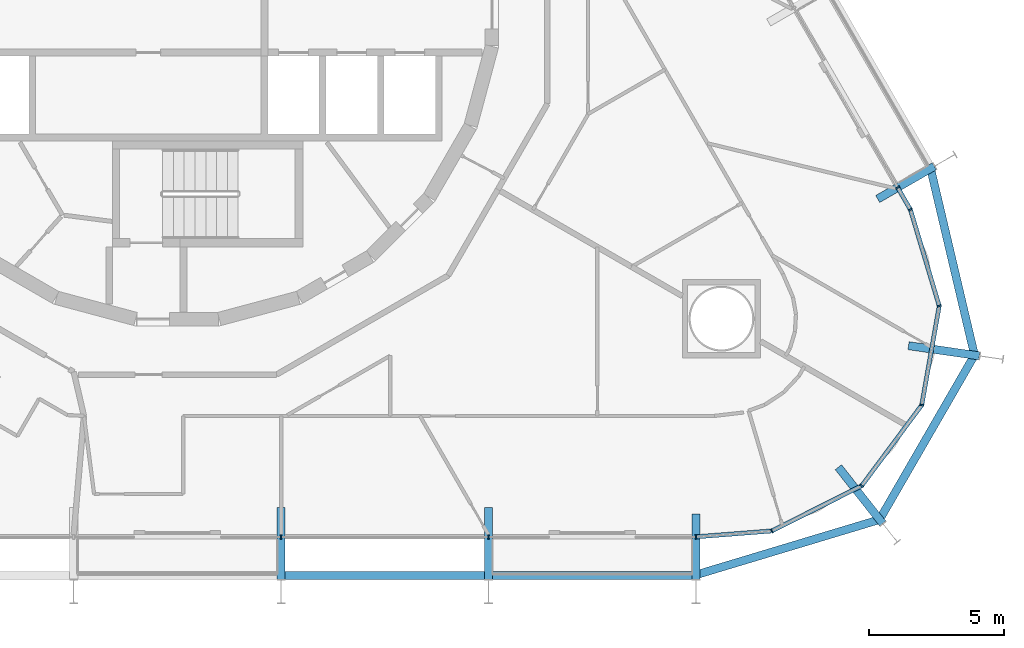
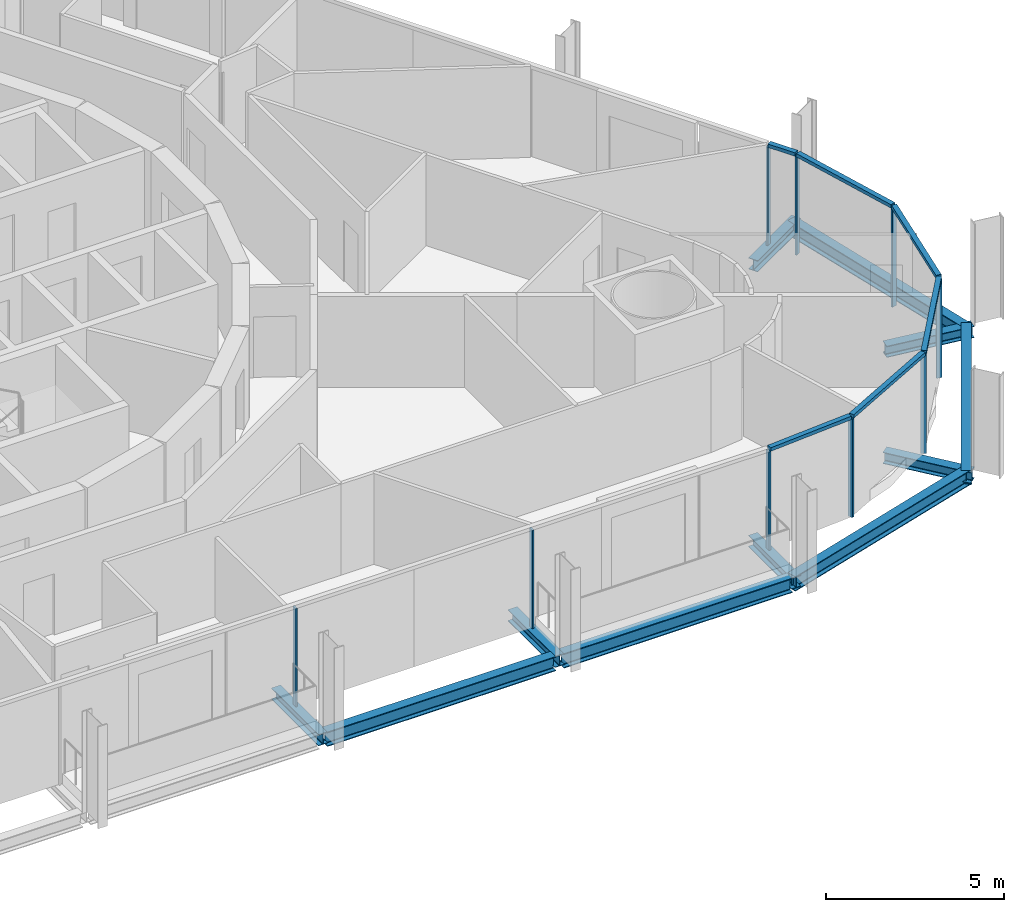
# One storey, part 6 of 21: 15 members, 11 beams, 3 elements without a shape of their own.
"""IFC4 building model written with IfcOpenShell, lengths in metres."""

from ifc_helpers import new_model, si_unit, direction, frame, origin, origin_2d, place, context, subcontext, project, spatial, rectangle, i_section, extrude, material, layer, layer_set, material_profile, profile_set, type_object, element, aggregate, save


model = new_model("IFC4")

# Units and contexts
model_context = context("Model", 3, precision=1e-05, world=origin(), true_north=direction((0.0, 1.0)))
body_context = subcontext(model_context, "Body", "Model", "MODEL_VIEW")
ifc_project = project(units=[si_unit("LENGTHUNIT", "METRE"), si_unit("AREAUNIT", "SQUARE_METRE"), si_unit("VOLUMEUNIT", "CUBIC_METRE"), si_unit("PLANEANGLEUNIT", "RADIAN"), si_unit("MASSUNIT", "GRAM", prefix="KILO")], contexts=[model_context])

# Site, building, storey
site_placement = place(None, origin())
site = spatial("IfcSite", under=ifc_project, at=site_placement, CompositionType="ELEMENT")
building_placement = place(site_placement, origin())
building = spatial("IfcBuilding", under=site, at=building_placement, Name="Spindle Arch Residences", CompositionType="ELEMENT")
storey_placement = place(building_placement, frame((0.0, 0.0, 62.89990234375)))
storey = spatial("IfcBuildingStorey", under=building, at=storey_placement, Name="L14", CompositionType="ELEMENT", Elevation=62.89990234375)

# Curtain wall, members
ifc_material_1 = material(Name="Aluminium bronze unitised frame with tinted glass", Category="aluminium")
ifc_layer_1 = layer(ifc_material_1, 0.159912109375)
ifc_layer_set_1 = layer_set([ifc_layer_1], Name="CW-D corner wall on the fillet arcs")
curtain_wall_type_1 = type_object("IfcCurtainWallType", Name="CW-D corner wall on the fillet arcs", PredefinedType="NOTDEFINED", material=ifc_layer_set_1)
curtain_wall_1_placement = place(storey_placement, origin())
curtain_wall_1 = element("IfcCurtainWall", 1, at=curtain_wall_1_placement, inside=storey, type_object=curtain_wall_type_1, Name="CW-D L14 run 1", PredefinedType="NOTDEFINED")
ifc_material_2 = material(Name="Aluminium bronze anodised mullion", Category="aluminium")
ifc_material_profile_1 = material_profile(ifc_material_2, rectangle(XDim=0.159912109375, YDim=0.06005859375, at=origin_2d()), Name="MU 60x160")
ifc_profile_set_1 = profile_set([ifc_material_profile_1], Name="Aluminium bronze anodised mullion")
member_type_1 = type_object("IfcMemberType", Name="Bronze mullion 60x160", PredefinedType="MULLION", material=ifc_profile_set_1)
member_1_placement = place(storey_placement, frame((19.2001953125, -19.7099609375, -0.3798828125), z_axis=(0.0, 0.0, 1.0), x_axis=(-0.077364085451, 0.997002907861, 0.0)))
member_1 = element("IfcMember", 2, at=member_1_placement, type_object=member_type_1, Name="CW-D mullion 00", PredefinedType="MULLION", context=body_context, shape_type="SweptSolid", body=[
    extrude(rectangle(XDim=0.159912109375, YDim=0.06005859375, at=origin_2d()), origin(), (0.0, 0.0, 1.0), 3.3798828125),
])
member_2_placement = place(storey_placement, frame((22.007080078125, -19.4921875, -0.3798828125), z_axis=(0.0, 0.0, 1.0), x_axis=(-0.448799176213, 0.893632642326, 0.0)))
member_2 = element("IfcMember", 3, at=member_2_placement, type_object=member_type_1, Name="CW-D mullion 01", PredefinedType="MULLION", context=body_context, shape_type="SweptSolid", body=[
    extrude(rectangle(XDim=0.159912109375, YDim=0.06005859375, at=origin_2d()), origin(), (0.0, 0.0, 1.0), 3.3798828125),
])
member_3_placement = place(storey_placement, frame((25.33740234375, -17.819580078125, -0.3798828125), z_axis=(0.0, 0.0, 1.0), x_axis=(-0.802123189687, 0.597158595823, 0.0)))
member_3 = element("IfcMember", 4, at=member_3_placement, type_object=member_type_1, Name="CW-D mullion 02", PredefinedType="MULLION", context=body_context, shape_type="SweptSolid", body=[
    extrude(rectangle(XDim=0.159912109375, YDim=0.06005859375, at=origin_2d()), origin(), (0.0, 0.0, 1.0), 3.3798828125),
])
member_4_placement = place(storey_placement, frame((27.562744140625, -14.830322265625, -0.3798828125), z_axis=(0.0, 0.0, 1.0), x_axis=(-0.984807752421, 0.173648181019, 0.0)))
member_4 = element("IfcMember", 5, at=member_4_placement, type_object=member_type_1, Name="CW-D mullion 03", PredefinedType="MULLION", context=body_context, shape_type="SweptSolid", body=[
    extrude(rectangle(XDim=0.159912109375, YDim=0.06005859375, at=origin_2d()), origin(), (0.0, 0.0, 1.0), 3.3798828125),
])
member_5_placement = place(storey_placement, frame((28.2099609375, -11.16015625, -0.3798828125), z_axis=(0.0, 0.0, 1.0), x_axis=(-0.957989512975, -0.28680323051, 0.0)))
member_5 = element("IfcMember", 6, at=member_5_placement, type_object=member_type_1, Name="CW-D mullion 04", PredefinedType="MULLION", context=body_context, shape_type="SweptSolid", body=[
    extrude(rectangle(XDim=0.159912109375, YDim=0.06005859375, at=origin_2d()), origin(), (0.0, 0.0, 1.0), 3.3798828125),
])
member_6_placement = place(storey_placement, frame((27.14111328125, -7.58984375, -0.3798828125), z_axis=(0.0, 0.0, 1.0), x_axis=(-0.866025403784, -0.5, 0.0)))
member_6 = element("IfcMember", 7, at=member_6_placement, type_object=member_type_1, Name="CW-D mullion 05", PredefinedType="MULLION", context=body_context, shape_type="SweptSolid", body=[
    extrude(rectangle(XDim=0.159912109375, YDim=0.06005859375, at=origin_2d()), origin(), (0.0, 0.0, 1.0), 3.3798828125),
])

# Curtain wall, member
ifc_material_3 = material(Name="Aluminium bronze unitised frame with tinted glass", Category="aluminium")
ifc_layer_2 = layer(ifc_material_3, 0.159912109375)
ifc_layer_set_2 = layer_set([ifc_layer_2], Name="CW-C typical residential unitised wall")
curtain_wall_type_2 = type_object("IfcCurtainWallType", Name="CW-C typical residential unitised wall", PredefinedType="NOTDEFINED", material=ifc_layer_set_2)
curtain_wall_2_placement = place(storey_placement, origin())
curtain_wall_2 = element("IfcCurtainWall", 8, at=curtain_wall_2_placement, inside=storey, type_object=curtain_wall_type_2, Name="CW-C L14 run 2", PredefinedType="NOTDEFINED")
member_7_placement = place(storey_placement, frame((26.66943359375, -6.77294921875, -0.3798828125), z_axis=(0.0, 0.0, 1.0), x_axis=(-0.866025403784, -0.5, 0.0)))
member_7 = element("IfcMember", 9, at=member_7_placement, type_object=member_type_1, Name="CW-C mullion 05", PredefinedType="MULLION", context=body_context, shape_type="SweptSolid", body=[
    extrude(rectangle(XDim=0.159912109375, YDim=0.06005859375, at=origin_2d()), origin(), (0.0, 0.0, 1.0), 3.3798828125),
])
aggregate(curtain_wall_2, [member_7])

# Curtain wall, members
curtain_wall_3_placement = place(storey_placement, origin())
curtain_wall_3 = element("IfcCurtainWall", 10, at=curtain_wall_3_placement, inside=storey, type_object=curtain_wall_type_2, Name="CW-C L14 run 6", PredefinedType="NOTDEFINED")
member_8_placement = place(storey_placement, frame((3.840087890625, -19.7099609375, -0.3798828125), z_axis=(0.0, 0.0, 1.0), x_axis=(0.0, 1.0, 0.0)))
member_8 = element("IfcMember", 11, at=member_8_placement, type_object=member_type_1, Name="CW-C mullion 00", PredefinedType="MULLION", context=body_context, shape_type="SweptSolid", body=[
    extrude(rectangle(XDim=0.159912109375, YDim=0.06005859375, at=origin_2d()), origin(), (0.0, 0.0, 1.0), 3.3798828125),
])
member_9_placement = place(storey_placement, frame((11.52001953125, -19.7099609375, -0.3798828125), z_axis=(0.0, 0.0, 1.0), x_axis=(0.0, 1.0, 0.0)))
member_9 = element("IfcMember", 12, at=member_9_placement, type_object=member_type_1, Name="CW-C mullion 01", PredefinedType="MULLION", context=body_context, shape_type="SweptSolid", body=[
    extrude(rectangle(XDim=0.159912109375, YDim=0.06005859375, at=origin_2d()), origin(), (0.0, 0.0, 1.0), 3.3798828125),
])
aggregate(curtain_wall_3, [member_8, member_9])

# Member
ifc_material_4 = material(Name="Aluminium bronze anodised transom", Category="aluminium")
ifc_material_profile_2 = material_profile(ifc_material_4, rectangle(XDim=0.159912109375, YDim=0.1201171875, at=origin_2d()), Name="TR 120x160")
ifc_profile_set_2 = profile_set([ifc_material_profile_2], Name="Aluminium bronze anodised transom")
member_type_2 = type_object("IfcMemberType", Name="Bronze transom 120x160", PredefinedType="USERDEFINED", material=ifc_profile_set_2)
member_10_placement = place(storey_placement, frame((19.22998046875, -19.70751953125, 3.06005859375), z_axis=(0.997003710875, 0.077353736189, 0.0), x_axis=(-0.077353736189, 0.997003710875, 0.0)))
member_10 = element("IfcMember", 13, at=member_10_placement, type_object=member_type_2, Name="CW-D transom 00", ObjectType="TRANSOM", PredefinedType="USERDEFINED", context=body_context, shape_type="SweptSolid", body=[
    extrude(rectangle(XDim=0.159912109375, YDim=0.1201171875, at=origin_2d()), origin(), (0.0, 0.0, 1.0), 2.75537109375),
])

member_11_placement = place(storey_placement, frame((22.03369140625, -19.478759765625, 3.06005859375), z_axis=(0.893626812559, 0.448810784046, 0.0), x_axis=(-0.448810784046, 0.893626812559, 0.0)))
member_11 = element("IfcMember", 14, at=member_11_placement, type_object=member_type_2, Name="CW-D transom 01", ObjectType="TRANSOM", PredefinedType="USERDEFINED", context=body_context, shape_type="SweptSolid", body=[
    extrude(rectangle(XDim=0.159912109375, YDim=0.1201171875, at=origin_2d()), origin(), (0.0, 0.0, 1.0), 3.6669921875),
])

member_12_placement = place(storey_placement, frame((25.355224609375, -17.79541015625, 3.06005859375), z_axis=(0.597173190998, 0.802112323776, 0.0), x_axis=(-0.802112323776, 0.597173190998, 0.0)))
member_12 = element("IfcMember", 15, at=member_12_placement, type_object=member_type_2, Name="CW-D transom 02", ObjectType="TRANSOM", PredefinedType="USERDEFINED", context=body_context, shape_type="SweptSolid", body=[
    extrude(rectangle(XDim=0.159912109375, YDim=0.1201171875, at=origin_2d()), origin(), (0.0, 0.0, 1.0), 3.666748046875),
])

member_13_placement = place(storey_placement, frame((27.56787109375, -14.80078125, 3.06005859375), z_axis=(0.173709368694, 0.984796961423, 0.0), x_axis=(-0.984796961423, 0.173709368694, 0.0)))
member_13 = element("IfcMember", 16, at=member_13_placement, type_object=member_type_2, Name="CW-D transom 03", ObjectType="TRANSOM", PredefinedType="USERDEFINED", context=body_context, shape_type="SweptSolid", body=[
    extrude(rectangle(XDim=0.159912109375, YDim=0.1201171875, at=origin_2d()), origin(), (0.0, 0.0, 1.0), 3.666748046875),
])

member_14_placement = place(storey_placement, frame((28.201416015625, -11.13134765625, 3.06005859375), z_axis=(-0.286834736274, 0.957980080203, 0.0), x_axis=(-0.957980080203, -0.286834736274, 0.0)))
member_14 = element("IfcMember", 17, at=member_14_placement, type_object=member_type_2, Name="CW-D transom 04", ObjectType="TRANSOM", PredefinedType="USERDEFINED", context=body_context, shape_type="SweptSolid", body=[
    extrude(rectangle(XDim=0.159912109375, YDim=0.1201171875, at=origin_2d()), origin(), (0.0, 0.0, 1.0), 3.666748046875),
])

member_15_placement = place(storey_placement, frame((27.1259765625, -7.56396484375, 3.06005859375), z_axis=(-0.499913830031, 0.866075148324, 0.0), x_axis=(-0.866075148324, -0.499913830031, 0.0)))
member_15 = element("IfcMember", 18, at=member_15_placement, type_object=member_type_2, Name="CW-D transom 05", ObjectType="TRANSOM", PredefinedType="USERDEFINED", context=body_context, shape_type="SweptSolid", body=[
    extrude(rectangle(XDim=0.159912109375, YDim=0.1201171875, at=origin_2d()), origin(), (0.0, 0.0, 1.0), 0.883544921875),
])

aggregate(curtain_wall_1, [member_1, member_10, member_2, member_11, member_3, member_12, member_4, member_13, member_5, member_14, member_6, member_15])

# Beams
ifc_material_5 = material(Name="Steel S460ML, intumescent coating R 120", Category="steel")
ifc_material_profile_3 = material_profile(ifc_material_5, i_section(OverallWidth=0.300048828125, OverallDepth=0.5, WebThickness=0.014404296875, FlangeThickness=0.028076171875, FilletRadius=0.027099609375, at=origin_2d()), Name="HEB 500")
ifc_profile_set_3 = profile_set([ifc_material_profile_3], Name="Steel S460ML, intumescent coating R 120")
beam_type_1 = type_object("IfcBeamType", Name="Exoskeleton edge beam HEB 500", PredefinedType="BEAM", material=ifc_profile_set_3)
for number, where, z_axis, x_axis, name in (
    (19, (3.969970703125, -21.142822265625, -0.6298828125), (1.0, 0.0, 0.0), (0.0, 1.0, 0.0), "Exoskeleton edge beam 1"),
    (20, (11.650146484375, -21.142822265625, -0.6298828125), (1.0, 0.0, 0.0), (0.0, 1.0, 0.0), "Exoskeleton edge beam 2"),
):
    element("IfcBeam", number, at=place(storey_placement, frame(where, z_axis=z_axis, x_axis=x_axis)), inside=storey, type_object=beam_type_1, Name=name, PredefinedType="BEAM", context=body_context, shape_type="SweptSolid", body=[
        extrude(i_section(OverallWidth=0.300048828125, OverallDepth=0.5, WebThickness=0.014404296875, FlangeThickness=0.028076171875, FilletRadius=0.027099609375, at=origin_2d()), origin(), (0.0, 0.0, 1.0), 7.420166015625),
    ])
beam_1_placement = place(storey_placement, frame((19.132568359375, -21.1376953125, -0.6298828125), z_axis=(0.95756732363, 0.288209681856, 0.0), x_axis=(-0.288209681856, 0.95756732363, 0.0)))
element("IfcBeam", 21, at=beam_1_placement, inside=storey, type_object=beam_type_1, Name="Exoskeleton edge beam 3", PredefinedType="BEAM", context=body_context, shape_type="SweptSolid", body=[
    extrude(i_section(OverallWidth=0.300048828125, OverallDepth=0.5, WebThickness=0.014404296875, FlangeThickness=0.028076171875, FilletRadius=0.027099609375, at=origin_2d()), origin(), (0.0, 0.0, 1.0), 7.250244140625),
])
beam_2_placement = place(storey_placement, frame((25.9482421875, -19.1591796875, -0.6298828125), z_axis=(0.499999897272, 0.866025463095, 0.0), x_axis=(-0.866025463095, 0.499999897272, 0.0)))
element("IfcBeam", 22, at=beam_2_placement, inside=storey, type_object=beam_type_1, Name="Exoskeleton edge beam 4", PredefinedType="BEAM", context=body_context, shape_type="SweptSolid", body=[
    extrude(i_section(OverallWidth=0.300048828125, OverallDepth=0.5, WebThickness=0.014404296875, FlangeThickness=0.028076171875, FilletRadius=0.027099609375, at=origin_2d()), origin(), (0.0, 0.0, 1.0), 7.236328125),
])
beam_3_placement = place(storey_placement, frame((29.53369140625, -13.0576171875, -0.6298828125), z_axis=(-0.229185730541, 0.973382710406, 0.0), x_axis=(-0.973382710406, -0.229185730541, 0.0)))
element("IfcBeam", 23, at=beam_3_placement, inside=storey, type_object=beam_type_1, Name="Exoskeleton edge beam 5", PredefinedType="BEAM", context=body_context, shape_type="SweptSolid", body=[
    extrude(i_section(OverallWidth=0.300048828125, OverallDepth=0.5, WebThickness=0.014404296875, FlangeThickness=0.028076171875, FilletRadius=0.027099609375, at=origin_2d()), origin(), (0.0, 0.0, 1.0), 7.25),
])
ifc_material_6 = material(Name="Steel S460ML, intumescent coating R 120", Category="steel")
ifc_material_profile_4 = material_profile(ifc_material_6, i_section(OverallWidth=0.300048828125, OverallDepth=0.389892578125, WebThickness=0.010986328125, FlangeThickness=0.01904296875, FilletRadius=0.027099609375, at=origin_2d()), Name="HEA 400")
ifc_profile_set_4 = profile_set([ifc_material_profile_4], Name="Steel S460ML, intumescent coating R 120")
beam_type_2 = type_object("IfcBeamType", Name="Floor outrigger HEA 400", PredefinedType="BEAM", material=ifc_profile_set_4)
for number, where, z_axis, x_axis, name in (
    (24, (3.840087890625, -21.27978515625, -0.574951171875), (0.0, 1.0, 0.0), (-1.0, 0.0, 0.0), "Floor outrigger 1"),
    (25, (11.52001953125, -21.27978515625, -0.574951171875), (0.0, 1.0, 0.0), (-1.0, 0.0, 0.0), "Floor outrigger 2"),
):
    element("IfcBeam", number, at=place(storey_placement, frame(where, z_axis=z_axis, x_axis=x_axis)), inside=storey, type_object=beam_type_2, Name=name, PredefinedType="BEAM", context=body_context, shape_type="SweptSolid", body=[
        extrude(i_section(OverallWidth=0.300048828125, OverallDepth=0.389892578125, WebThickness=0.010986328125, FlangeThickness=0.01904296875, FilletRadius=0.027099609375, at=origin_2d()), origin(), (0.0, 0.0, 1.0), 2.64990234375),
    ])
beam_4_placement = place(storey_placement, frame((19.2001953125, -21.27978515625, -0.574951171875), z_axis=(0.0, 1.0, 0.0), x_axis=(-1.0, 0.0, 0.0)))
element("IfcBeam", 26, at=beam_4_placement, inside=storey, type_object=beam_type_2, Name="Floor outrigger 3", PredefinedType="BEAM", context=body_context, shape_type="SweptSolid", body=[
    extrude(i_section(OverallWidth=0.300048828125, OverallDepth=0.389892578125, WebThickness=0.010986328125, FlangeThickness=0.01904296875, FilletRadius=0.027099609375, at=origin_2d()), origin(), (0.0, 0.0, 1.0), 2.42333984375),
])
for number, where, z_axis, x_axis, name in (
    (27, (26.11328125, -19.211669921875, -0.574951171875), (-0.618586231558, 0.785716917297, 0.0), (-0.785716917297, -0.618586231558, 0.0), "Floor outrigger 4"),
    (28, (29.694580078125, -13.009033203125, -0.574951171875), (-0.989738348309, 0.142891573883, 0.0), (-0.142891573883, -0.989738348309, 0.0), "Floor outrigger 5"),
):
    element("IfcBeam", number, at=place(storey_placement, frame(where, z_axis=z_axis, x_axis=x_axis)), inside=storey, type_object=beam_type_2, Name=name, PredefinedType="BEAM", context=body_context, shape_type="SweptSolid", body=[
        extrude(i_section(OverallWidth=0.300048828125, OverallDepth=0.389892578125, WebThickness=0.010986328125, FlangeThickness=0.01904296875, FilletRadius=0.027099609375, at=origin_2d()), origin(), (0.0, 0.0, 1.0), 2.64990234375),
    ])
beam_5_placement = place(storey_placement, frame((28.029052734375, -5.98779296875, -0.574951171875), z_axis=(-0.866002732682, -0.500039265445, 0.0), x_axis=(0.500039265445, -0.866002732682, 0.0)))
element("IfcBeam", 29, at=beam_5_placement, inside=storey, type_object=beam_type_2, Name="Floor outrigger 6", PredefinedType="BEAM", context=body_context, shape_type="SweptSolid", body=[
    extrude(i_section(OverallWidth=0.300048828125, OverallDepth=0.389892578125, WebThickness=0.010986328125, FlangeThickness=0.01904296875, FilletRadius=0.027099609375, at=origin_2d()), origin(), (0.0, 0.0, 1.0), 2.423583984375),
])

save(model, "model.ifc")
